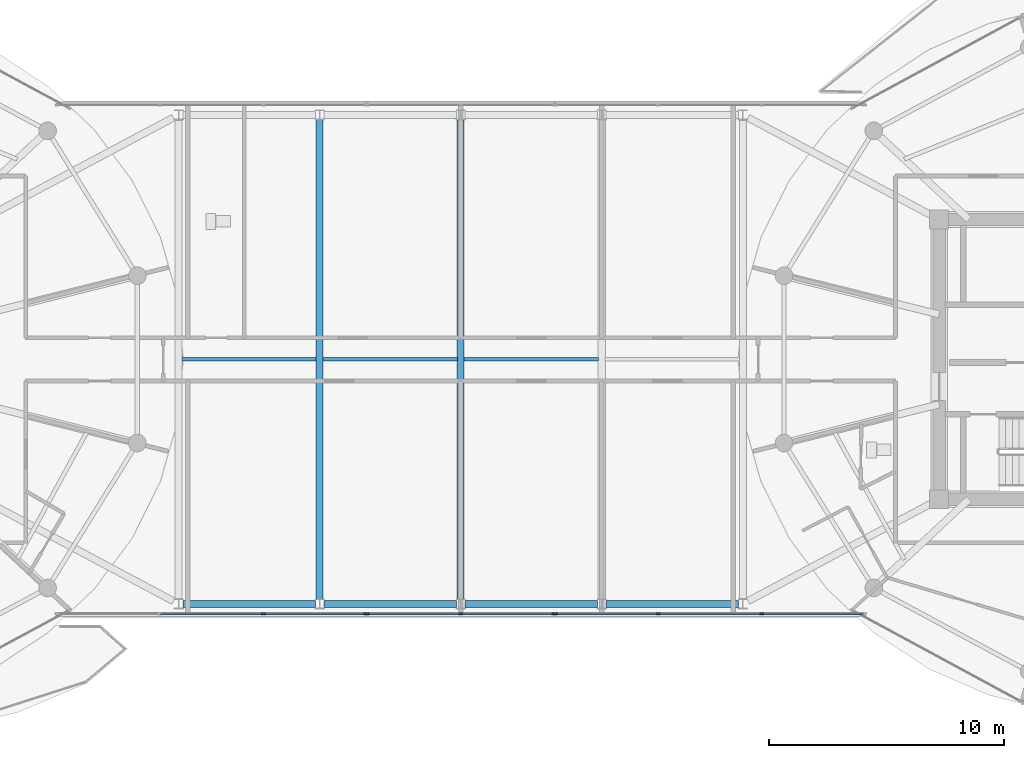
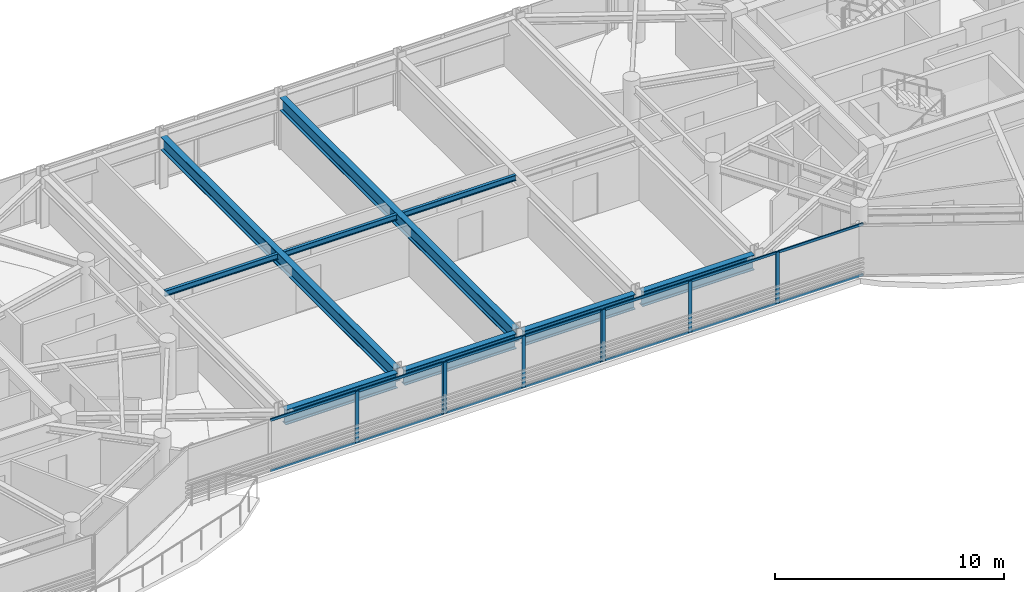
# One storey, part 6 of 24: 22 members, 9 beams, 3 elements without a shape of their own.
"""IFC4 building model written with IfcOpenShell, lengths in metres."""

import ifcopenshell
import ifcopenshell.guid

model = None  # the IFC model being written
_history = None  # IfcOwnerHistory: only IFC2X3 demands one
_inside = {}  # id of a spatial element -> (the spatial element, [elements in it])
_under = {}  # id of a project, library or spatial element -> (it, [spatial elements below it])
_declared = {}  # id of a project -> (the project, [libraries it declares])
_typed = {}  # id of a type object -> (the type object, [elements of that type])
_made_of = {}  # id of a material, layer set ... -> (it, [elements and type objects made of it])


def new_model(schema):
    """Start an empty IFC model of exactly this schema.

    Asked for "IFC4X3", IfcOpenShell would pick the latest addendum, in which some entities
    have other attributes; the version numbers below select the first issue.
    IFC2X3 requires an IfcOwnerHistory on every rooted entity: one is made here for all.
    """
    global model, _history
    if schema == "IFC4X3":
        model = ifcopenshell.file(schema_version=(4, 3, 0, 0))
    else:
        model = ifcopenshell.file(schema=schema)
    _inside.clear()
    _under.clear()
    _declared.clear()
    _typed.clear()
    _made_of.clear()
    _history = None
    if model.schema == "IFC2X3":
        org = make("IfcOrganization", Name="unknown")
        user = make(
            "IfcPersonAndOrganization",
            ThePerson=make("IfcPerson", FamilyName="unknown"),
            TheOrganization=org,
        )
        app = make(
            "IfcApplication",
            ApplicationDeveloper=org,
            Version="unknown",
            ApplicationFullName="unknown",
            ApplicationIdentifier="unknown",
        )
        _history = make(
            "IfcOwnerHistory",
            OwningUser=user,
            OwningApplication=app,
            ChangeAction="ADDED",
            CreationDate=0,
        )
    return model


def make(cls, **values):
    """One entity of the class cls with the attributes given. An attribute that is None is left unset."""
    return model.create_entity(
        cls, **{name: value for name, value in values.items() if value is not None}
    )


def rooted(cls, **values):
    """An entity with a GlobalId (a new one), such as an element, a storey or a relation."""
    return make(cls, GlobalId=ifcopenshell.guid.new(), OwnerHistory=_history, **values)


def si_unit(unit_type, name, prefix=None):
    """IfcSIUnit, for example si_unit("LENGTHUNIT", "METRE", prefix="MILLI")."""
    return make("IfcSIUnit", UnitType=unit_type, Prefix=prefix, Name=name)


def assignment(units):
    """IfcUnitAssignment: the units of a project."""
    return None if units is None else make("IfcUnitAssignment", Units=units)


def point(xyz):
    """IfcCartesianPoint."""
    return None if xyz is None else make("IfcCartesianPoint", Coordinates=xyz)


def direction(xyz):
    """IfcDirection."""
    return None if xyz is None else make("IfcDirection", DirectionRatios=xyz)


def frame(location, z_axis=None, x_axis=None):
    """IfcAxis2Placement3D, a coordinate frame: its origin and axes. An axis left out is left unset."""
    return make(
        "IfcAxis2Placement3D",
        Location=point(location),
        Axis=direction(z_axis),
        RefDirection=direction(x_axis),
    )


def frame_2d(location, x_axis=None):
    """IfcAxis2Placement2D, a coordinate frame in the plane: its origin and x axis."""
    return make(
        "IfcAxis2Placement2D", Location=point(location), RefDirection=direction(x_axis)
    )


def origin():
    """The frame at (0, 0, 0) with its axes left unset."""
    return frame((0.0, 0.0, 0.0))


def origin_2d():
    """The frame at (0, 0) in the plane with its x axis left unset."""
    return frame_2d((0.0, 0.0))


def place(relative_to, where):
    """IfcLocalPlacement: puts the frame where relative to a parent placement (None: the world)."""
    return make(
        "IfcLocalPlacement", PlacementRelTo=relative_to, RelativePlacement=where
    )


def context(
    kind, dimensions, precision=None, world=None, true_north=None, identifier=None
):
    """IfcGeometricRepresentationContext, for example the 3D "Model" context."""
    return make(
        "IfcGeometricRepresentationContext",
        ContextIdentifier=identifier,
        ContextType=kind,
        CoordinateSpaceDimension=dimensions,
        Precision=precision,
        WorldCoordinateSystem=world,
        TrueNorth=true_north,
    )


def subcontext(parent, identifier, kind, view, scale=None):
    """IfcGeometricRepresentationSubContext, for example "Body" below "Model"."""
    return make(
        "IfcGeometricRepresentationSubContext",
        ContextIdentifier=identifier,
        ContextType=kind,
        ParentContext=parent,
        TargetScale=scale,
        TargetView=view,
    )


def project(units=None, contexts=None):
    """IfcProject with its units and contexts."""
    return rooted(
        "IfcProject",
        Name="project",
        RepresentationContexts=contexts,
        UnitsInContext=assignment(units),
    )


def spatial(cls, under=None, at=None, **own):
    """A site, building, storey or space (cls), placed at a placement, below another one or the project."""
    s = rooted(cls, ObjectPlacement=at, **own)
    if under is not None:
        _under.setdefault(under.id(), (under, []))[1].append(s)
    return s


def profile(cls, at=None, kind="AREA", **sizes):
    """A parametric profile (cls). Its sizes go by their IFC names, for example OverallWidth=200.0."""
    return make(cls, ProfileType=kind, Position=at, **sizes)


def rectangle(**sizes):
    """IfcRectangleProfileDef."""
    return profile("IfcRectangleProfileDef", **sizes)


def i_section(**sizes):
    """IfcIShapeProfileDef."""
    return profile("IfcIShapeProfileDef", **sizes)


def extrude(swept, where, along, depth):
    """IfcExtrudedAreaSolid: the profile swept, set in the frame where, extruded along a direction by depth."""
    return make(
        "IfcExtrudedAreaSolid",
        SweptArea=swept,
        Position=where,
        ExtrudedDirection=direction(along),
        Depth=depth,
    )


def shape(context_of_items, identifier, shape_type, items):
    """IfcShapeRepresentation: the items that make up one representation, for example the "Body"."""
    return make(
        "IfcShapeRepresentation",
        ContextOfItems=context_of_items,
        RepresentationIdentifier=identifier,
        RepresentationType=shape_type,
        Items=items,
    )


def source(mapping_origin, context_of_items, identifier, shape_type, items):
    """IfcRepresentationMap: a shape defined once, which mapped items show again and again."""
    return make(
        "IfcRepresentationMap",
        MappingOrigin=mapping_origin,
        MappedRepresentation=shape(context_of_items, identifier, shape_type, items),
    )


def transform(
    local_origin,
    x_axis=None,
    y_axis=None,
    z_axis=None,
    scale=None,
    scale2=None,
    scale3=None,
    uniform=True,
):
    """IfcCartesianTransformationOperator3D, or its non-uniform kind. x_axis, y_axis, z_axis: its Axis1, 2, 3."""
    if uniform:
        return make(
            "IfcCartesianTransformationOperator3D",
            Axis1=direction(x_axis),
            Axis2=direction(y_axis),
            LocalOrigin=point(local_origin),
            Scale=scale,
            Axis3=direction(z_axis),
        )
    return make(
        "IfcCartesianTransformationOperator3DnonUniform",
        Axis1=direction(x_axis),
        Axis2=direction(y_axis),
        LocalOrigin=point(local_origin),
        Scale=scale,
        Axis3=direction(z_axis),
        Scale2=scale2,
        Scale3=scale3,
    )


def mapped(mapping_source, mapping_target):
    """IfcMappedItem: shows the shape of a source again, moved by a transform."""
    return make(
        "IfcMappedItem", MappingSource=mapping_source, MappingTarget=mapping_target
    )


def material(Name=None, Category=None):
    """IfcMaterial."""
    return make("IfcMaterial", Name=Name, Category=Category)


def layer(
    of_material, thickness, ventilated=None, Name=None, Category=None, Priority=None
):
    """IfcMaterialLayer: one layer of a wall or slab, of a material (None: an air gap)."""
    return make(
        "IfcMaterialLayer",
        Material=of_material,
        LayerThickness=thickness,
        IsVentilated=ventilated,
        Name=Name,
        Category=Category,
        Priority=Priority,
    )


def layer_set(layers, Name=None):
    """IfcMaterialLayerSet."""
    return make("IfcMaterialLayerSet", MaterialLayers=layers, LayerSetName=Name)


def material_profile(
    of_material, cross_section, Name=None, Category=None, Priority=None
):
    """IfcMaterialProfile: a cross section and its material."""
    return make(
        "IfcMaterialProfile",
        Name=Name,
        Material=of_material,
        Profile=cross_section,
        Priority=Priority,
        Category=Category,
    )


def profile_set(profiles, Name=None, composite=None):
    """IfcMaterialProfileSet."""
    return make(
        "IfcMaterialProfileSet",
        Name=Name,
        MaterialProfiles=profiles,
        CompositeProfile=composite,
    )


def made_of(thing, what):
    """Note that an element or type object is made of a material, layer set ...; save() writes the relation."""
    if what is not None:
        _made_of.setdefault(what.id(), (what, []))[1].append(thing)
    return thing


def type_object(cls, material=None, **own):
    """A type object (cls), such as IfcWallType, which elements share."""
    return made_of(rooted(cls, **own), material)


def type_shapes(of_type, sources):
    """Give a type object the sources (RepresentationMaps) that its elements show as mapped items."""
    of_type.RepresentationMaps = sources


def element(
    cls,
    number,
    at=None,
    inside=None,
    cuts=None,
    type_object=None,
    material=None,
    context=None,
    identifier="Body",
    shape_type=None,
    held_by="IfcProductDefinitionShape",
    body=None,
    shapes=None,
    **own,
):
    """One element of the class cls, such as IfcWall. Its Tag is "e" and its number.

    at: its placement. inside: the storey or other place that contains it. cuts: it is an
    opening in that element (IfcRelVoidsElement). A single representation is given by context,
    identifier, shape_type and body (its items); several are given by shapes. held_by: the class
    of the entity that holds the representations. save() writes the other relations.
    """
    e = rooted(cls, Tag="e%d" % number, ObjectPlacement=at, **own)
    if body is not None:
        shapes = [shape(context, identifier, shape_type, body)]
    if shapes is not None:
        e.Representation = make(held_by, Representations=shapes)
    if inside is not None:
        _inside.setdefault(inside.id(), (inside, []))[1].append(e)
    if cuts is not None:
        rooted(
            "IfcRelVoidsElement", RelatingBuildingElement=cuts, RelatedOpeningElement=e
        )
    if type_object is not None:
        _typed.setdefault(type_object.id(), (type_object, []))[1].append(e)
    return made_of(e, material)


def aggregate(whole, parts):
    """IfcRelAggregates: a whole, such as a stair, and the parts it consists of."""
    return rooted("IfcRelAggregates", RelatingObject=whole, RelatedObjects=parts)


def save(model, path):
    """Write the relations noted so far, then the file.

    IfcRelAggregates (storeys below a building ...), IfcRelContainedInSpatialStructure (elements
    in a storey), IfcRelDefinesByType, IfcRelAssociatesMaterial and IfcRelDeclares: one each for
    every whole, place, type object, material and project.
    """
    for whole, parts in _under.values():
        aggregate(whole, parts)
    for where, things in _inside.values():
        rooted(
            "IfcRelContainedInSpatialStructure",
            RelatedElements=things,
            RelatingStructure=where,
        )
    for kind, things in _typed.values():
        rooted("IfcRelDefinesByType", RelatedObjects=things, RelatingType=kind)
    for what, things in _made_of.values():
        rooted("IfcRelAssociatesMaterial", RelatedObjects=things, RelatingMaterial=what)
    for by, libraries in _declared.values():
        rooted("IfcRelDeclares", RelatingContext=by, RelatedDefinitions=libraries)
    model.write(path)


model = new_model("IFC4")

# Units and contexts
model_context = context("Model", 3, precision=1e-05, world=origin(), true_north=direction((0.0, 1.0)))
body_context = subcontext(model_context, "Body", "Model", "MODEL_VIEW")
ifc_project = project(units=[si_unit("LENGTHUNIT", "METRE"), si_unit("AREAUNIT", "SQUARE_METRE"), si_unit("VOLUMEUNIT", "CUBIC_METRE"), si_unit("PLANEANGLEUNIT", "RADIAN"), si_unit("MASSUNIT", "GRAM", prefix="KILO")], contexts=[model_context])

# Site, building, storey
site_placement = place(None, origin())
site = spatial("IfcSite", under=ifc_project, at=site_placement, CompositionType="ELEMENT")
building_placement = place(site_placement, origin())
building = spatial("IfcBuilding", under=site, at=building_placement, Name="Norrkilde Senior Care Towers", CompositionType="ELEMENT")
storey_placement = place(building_placement, frame((0.0, 0.0, 226.10009765625)))
storey = spatial("IfcBuildingStorey", under=building, at=storey_placement, Name="L70", CompositionType="ELEMENT", Elevation=226.10009765625)

# Beams
ifc_material_1 = material(Name="Steel S355", Category="steel")
ifc_material_profile_1 = material_profile(ifc_material_1, i_section(OverallWidth=0.300048828125, OverallDepth=0.699951171875, WebThickness=0.01708984375, FlangeThickness=0.031982421875, FilletRadius=0.027099609375, at=origin_2d()), Name="HEB 700")
ifc_profile_set_1 = profile_set([ifc_material_profile_1], Name="Steel S355")
beam_type_1 = type_object("IfcBeamType", Name="Bridge Cross Girder HEB700", PredefinedType="USERDEFINED", material=ifc_profile_set_1)
shared_shape_1 = source(origin(), body_context, "Body", "SweptSolid", [
    extrude(i_section(OverallWidth=0.300048828125, OverallDepth=0.699951171875, WebThickness=0.01708984375, FlangeThickness=0.031982421875, FilletRadius=0.027099609375, at=origin_2d()), origin(), (0.0, 0.0, 1.0), 20.43994140625),
])
type_shapes(beam_type_1, [shared_shape_1])
for number, where, z_axis, x_axis, name in (
    (1, (-6.0, -10.219970703125, 2.409912109375), (0.0, 1.0, 0.0), (-1.0, 0.0, 0.0), "L70 Sky-Gate Bridge Cross Girder -6"),
    (2, (0.0, -10.219970703125, 2.409912109375), (0.0, 1.0, 0.0), (-1.0, 0.0, 0.0), "L70 Sky-Gate Bridge Cross Girder +0"),
):
    element("IfcBeam", number, at=place(storey_placement, frame(where, z_axis=z_axis, x_axis=x_axis)), inside=storey, type_object=beam_type_1, Name=name, ObjectType="GIRDER", PredefinedType="USERDEFINED", context=body_context, shape_type="MappedRepresentation", body=[
        mapped(shared_shape_1, transform((0.0, 0.0, 0.0), x_axis=(1.0, 0.0, 0.0), y_axis=(0.0, 1.0, 0.0), z_axis=(0.0, 0.0, 1.0), scale=1.0)),
    ])
ifc_material_profile_2 = material_profile(ifc_material_1, i_section(OverallWidth=0.300048828125, OverallDepth=0.800048828125, WebThickness=0.017578125, FlangeThickness=0.032958984375, FilletRadius=0.030029296875, at=origin_2d()), Name="HEB 800")
ifc_profile_set_2 = profile_set([ifc_material_profile_2], Name="Steel S355")
beam_type_2 = type_object("IfcBeamType", Name="Bridge Floor Girder HEB800", PredefinedType="USERDEFINED", material=ifc_profile_set_2)
shared_shape_2 = source(origin(), body_context, "Body", "SweptSolid", [
    extrude(i_section(OverallWidth=0.300048828125, OverallDepth=0.800048828125, WebThickness=0.017578125, FlangeThickness=0.032958984375, FilletRadius=0.030029296875, at=origin_2d()), origin(), (0.0, 0.0, 1.0), 5.64013671875),
])
type_shapes(beam_type_2, [shared_shape_2])
for number, where, z_axis, x_axis, name in (
    (3, (-11.820068359375, -10.39990234375, 2.35986328125), (1.0, 0.0, 0.0), (0.0, 1.0, 0.0), "L70 Sky-Gate Bridge Girder S2"),
    (4, (-5.820068359375, -10.39990234375, 2.35986328125), (1.0, 0.0, 0.0), (0.0, 1.0, 0.0), "L70 Sky-Gate Bridge Girder S3"),
    (5, (0.179931640625, -10.39990234375, 2.35986328125), (1.0, 0.0, 0.0), (0.0, 1.0, 0.0), "L70 Sky-Gate Bridge Girder S4"),
    (6, (6.179931640625, -10.39990234375, 2.35986328125), (1.0, 0.0, 0.0), (0.0, 1.0, 0.0), "L70 Sky-Gate Bridge Girder S5"),
):
    element("IfcBeam", number, at=place(storey_placement, frame(where, z_axis=z_axis, x_axis=x_axis)), inside=storey, type_object=beam_type_2, Name=name, ObjectType="GIRDER", PredefinedType="USERDEFINED", context=body_context, shape_type="MappedRepresentation", body=[
        mapped(shared_shape_2, transform((0.0, 0.0, 0.0), x_axis=(1.0, 0.0, 0.0), y_axis=(0.0, 1.0, 0.0), z_axis=(0.0, 0.0, 1.0), scale=1.0)),
    ])
ifc_material_profile_3 = material_profile(ifc_material_1, i_section(OverallWidth=0.14990234375, OverallDepth=0.300048828125, WebThickness=0.007080078125, FlangeThickness=0.0107421875, FilletRadius=0.014892578125, at=origin_2d()), Name="IPE 300")
ifc_profile_set_3 = profile_set([ifc_material_profile_3], Name="Steel S355")
beam_type_3 = type_object("IfcBeamType", Name="Bridge Deck Joist IPE300", PredefinedType="JOIST", material=ifc_profile_set_3)
shared_shape_3 = source(origin(), body_context, "Body", "SweptSolid", [
    extrude(i_section(OverallWidth=0.14990234375, OverallDepth=0.300048828125, WebThickness=0.007080078125, FlangeThickness=0.0107421875, FilletRadius=0.014892578125, at=origin_2d()), origin(), (0.0, 0.0, 1.0), 5.7099609375),
])
type_shapes(beam_type_3, [shared_shape_3])
for number, where, z_axis, x_axis, name in (
    (7, (-11.85498046875, 0.0, 2.60986328125), (1.0, 0.0, 0.0), (0.0, 1.0, 0.0), "L70 Bridge Deck Joist 1"),
    (8, (-5.85498046875, 0.0, 2.60986328125), (1.0, 0.0, 0.0), (0.0, 1.0, 0.0), "L70 Bridge Deck Joist 2"),
    (9, (0.14501953125, 0.0, 2.60986328125), (1.0, 0.0, 0.0), (0.0, 1.0, 0.0), "L70 Bridge Deck Joist 3"),
):
    element("IfcBeam", number, at=place(storey_placement, frame(where, z_axis=z_axis, x_axis=x_axis)), inside=storey, type_object=beam_type_3, Name=name, PredefinedType="JOIST", context=body_context, shape_type="MappedRepresentation", body=[
        mapped(shared_shape_3, transform((0.0, 0.0, 0.0), x_axis=(1.0, 0.0, 0.0), y_axis=(0.0, 1.0, 0.0), z_axis=(0.0, 0.0, 1.0), scale=1.0)),
    ])

# Curtain wall, members
ifc_material_2 = material(Name="Triple Low-E Insulated Glazing", Category="glass")
ifc_layer = layer(ifc_material_2, 0.2099609375)
ifc_layer_set = layer_set([ifc_layer], Name="Triple Low-E Insulated Glazing")
curtain_wall_type = type_object("IfcCurtainWallType", Name="CW5 Sky-Gate Bridge Curtain Wall", PredefinedType="NOTDEFINED", material=ifc_layer_set)
curtain_wall_1_placement = place(storey_placement, origin())
curtain_wall_1 = element("IfcCurtainWall", 10, at=curtain_wall_1_placement, inside=storey, type_object=curtain_wall_type, Name="L70 Sky-Gate Bridge South Curtain Wall 1", PredefinedType="NOTDEFINED")
ifc_material_3 = material(Name="Anodised Aluminium", Category="aluminium")
ifc_material_profile_4 = material_profile(ifc_material_3, rectangle(XDim=0.06494140625, YDim=0.1298828125, at=origin_2d()), Name="ALU TRAN 65x130")
ifc_profile_set_4 = profile_set([ifc_material_profile_4], Name="Anodised Aluminium")
member_type_1 = type_object("IfcMemberType", Name="Curtain Wall Transom Heavy 65x130", PredefinedType="USERDEFINED", material=ifc_profile_set_4)
shared_shape_4 = source(origin(), body_context, "Body", "SweptSolid", [
    extrude(rectangle(XDim=0.06494140625, YDim=0.1298828125, at=origin_2d()), origin(), (0.0, 0.0, 1.0), 4.294921875),
])
member_1_placement = place(storey_placement, frame((17.1298828125, -10.820068359375, 0.032470703125), z_axis=(-1.0, 0.0, 0.0), x_axis=(0.0, -1.0, 0.0)))
member_1 = element("IfcMember", 11, at=member_1_placement, type_object=member_type_1, Name="CW-5 transom 1.1", ObjectType="TRANSOM", PredefinedType="USERDEFINED", context=body_context, shape_type="MappedRepresentation", body=[
    mapped(shared_shape_4, transform((0.0, 0.0, 0.0), x_axis=(1.0, 0.0, 0.0), y_axis=(0.0, 1.0, 0.0), z_axis=(0.0, 0.0, 1.0), scale=1.0)),
])
member_2_placement = place(storey_placement, frame((17.1298828125, -10.820068359375, 2.727294921875), z_axis=(-1.0, 0.0, 0.0), x_axis=(0.0, -1.0, 0.0)))
member_2 = element("IfcMember", 12, at=member_2_placement, type_object=member_type_1, Name="CW-5 transom 1.2", ObjectType="TRANSOM", PredefinedType="USERDEFINED", context=body_context, shape_type="MappedRepresentation", body=[
    mapped(shared_shape_4, transform((0.0, 0.0, 0.0), x_axis=(1.0, 0.0, 0.0), y_axis=(0.0, 1.0, 0.0), z_axis=(0.0, 0.0, 1.0), scale=1.0)),
])
member_3_placement = place(storey_placement, frame((8.364990234375, -10.820068359375, 0.032470703125), z_axis=(-1.0, 0.0, 0.0), x_axis=(0.0, -1.0, 0.0)))
member_3 = element("IfcMember", 13, at=member_3_placement, type_object=member_type_1, Name="CW-5 transom 3.1", ObjectType="TRANSOM", PredefinedType="USERDEFINED", context=body_context, shape_type="MappedRepresentation", body=[
    mapped(shared_shape_4, transform((0.0, 0.0, 0.0), x_axis=(1.0, 0.0, 0.0), y_axis=(0.0, 1.0, 0.0), z_axis=(0.0, 0.0, 1.0), scale=1.0)),
])
member_4_placement = place(storey_placement, frame((8.364990234375, -10.820068359375, 2.727294921875), z_axis=(-1.0, 0.0, 0.0), x_axis=(0.0, -1.0, 0.0)))
member_4 = element("IfcMember", 14, at=member_4_placement, type_object=member_type_1, Name="CW-5 transom 3.2", ObjectType="TRANSOM", PredefinedType="USERDEFINED", context=body_context, shape_type="MappedRepresentation", body=[
    mapped(shared_shape_4, transform((0.0, 0.0, 0.0), x_axis=(1.0, 0.0, 0.0), y_axis=(0.0, 1.0, 0.0), z_axis=(0.0, 0.0, 1.0), scale=1.0)),
])

curtain_wall_2_placement = place(storey_placement, origin())
curtain_wall_2 = element("IfcCurtainWall", 15, at=curtain_wall_2_placement, inside=storey, type_object=curtain_wall_type, Name="L70 Sky-Gate Bridge South Curtain Wall 3", PredefinedType="NOTDEFINED")
member_5_placement = place(storey_placement, frame((-4.070068359375, -10.820068359375, 0.032470703125), z_axis=(-1.0, 0.0, 0.0), x_axis=(0.0, -1.0, 0.0)))
member_5 = element("IfcMember", 16, at=member_5_placement, type_object=member_type_1, Name="CW-5 transom 1.1", ObjectType="TRANSOM", PredefinedType="USERDEFINED", context=body_context, shape_type="MappedRepresentation", body=[
    mapped(shared_shape_4, transform((0.0, 0.0, 0.0), x_axis=(1.0, 0.0, 0.0), y_axis=(0.0, 1.0, 0.0), z_axis=(0.0, 0.0, 1.0), scale=1.0)),
])
member_6_placement = place(storey_placement, frame((-4.070068359375, -10.820068359375, 2.727294921875), z_axis=(-1.0, 0.0, 0.0), x_axis=(0.0, -1.0, 0.0)))
member_6 = element("IfcMember", 17, at=member_6_placement, type_object=member_type_1, Name="CW-5 transom 1.2", ObjectType="TRANSOM", PredefinedType="USERDEFINED", context=body_context, shape_type="MappedRepresentation", body=[
    mapped(shared_shape_4, transform((0.0, 0.0, 0.0), x_axis=(1.0, 0.0, 0.0), y_axis=(0.0, 1.0, 0.0), z_axis=(0.0, 0.0, 1.0), scale=1.0)),
])

# Member
shared_shape_5 = source(origin(), body_context, "Body", "SweptSolid", [
    extrude(rectangle(XDim=0.06494140625, YDim=0.1298828125, at=origin_2d()), origin(), (0.0, 0.0, 1.0), 4.329833984375),
])
member_7_placement = place(storey_placement, frame((12.764892578125, -10.820068359375, 0.032470703125), z_axis=(-1.0, 0.0, 0.0), x_axis=(0.0, -1.0, 0.0)))
member_7 = element("IfcMember", 18, at=member_7_placement, type_object=member_type_1, Name="CW-5 transom 2.1", ObjectType="TRANSOM", PredefinedType="USERDEFINED", context=body_context, shape_type="MappedRepresentation", body=[
    mapped(shared_shape_5, transform((0.0, 0.0, 0.0), x_axis=(1.0, 0.0, 0.0), y_axis=(0.0, 1.0, 0.0), z_axis=(0.0, 0.0, 1.0), scale=1.0)),
])

member_8_placement = place(storey_placement, frame((12.764892578125, -10.820068359375, 2.727294921875), z_axis=(-1.0, 0.0, 0.0), x_axis=(0.0, -1.0, 0.0)))
member_8 = element("IfcMember", 19, at=member_8_placement, type_object=member_type_1, Name="CW-5 transom 2.2", ObjectType="TRANSOM", PredefinedType="USERDEFINED", context=body_context, shape_type="MappedRepresentation", body=[
    mapped(shared_shape_5, transform((0.0, 0.0, 0.0), x_axis=(1.0, 0.0, 0.0), y_axis=(0.0, 1.0, 0.0), z_axis=(0.0, 0.0, 1.0), scale=1.0)),
])

member_9_placement = place(storey_placement, frame((-8.43505859375, -10.820068359375, 0.032470703125), z_axis=(-1.0, 0.0, 0.0), x_axis=(0.0, -1.0, 0.0)))
member_9 = element("IfcMember", 20, at=member_9_placement, type_object=member_type_1, Name="CW-5 transom 2.1", ObjectType="TRANSOM", PredefinedType="USERDEFINED", context=body_context, shape_type="MappedRepresentation", body=[
    mapped(shared_shape_5, transform((0.0, 0.0, 0.0), x_axis=(1.0, 0.0, 0.0), y_axis=(0.0, 1.0, 0.0), z_axis=(0.0, 0.0, 1.0), scale=1.0)),
])

member_10_placement = place(storey_placement, frame((-8.43505859375, -10.820068359375, 2.727294921875), z_axis=(-1.0, 0.0, 0.0), x_axis=(0.0, -1.0, 0.0)))
member_10 = element("IfcMember", 21, at=member_10_placement, type_object=member_type_1, Name="CW-5 transom 2.2", ObjectType="TRANSOM", PredefinedType="USERDEFINED", context=body_context, shape_type="MappedRepresentation", body=[
    mapped(shared_shape_5, transform((0.0, 0.0, 0.0), x_axis=(1.0, 0.0, 0.0), y_axis=(0.0, 1.0, 0.0), z_axis=(0.0, 0.0, 1.0), scale=1.0)),
])

# Curtain wall, members
curtain_wall_3_placement = place(storey_placement, origin())
curtain_wall_3 = element("IfcCurtainWall", 22, at=curtain_wall_3_placement, inside=storey, type_object=curtain_wall_type, Name="L70 Sky-Gate Bridge South Curtain Wall 2", PredefinedType="NOTDEFINED")
shared_shape_6 = source(origin(), body_context, "Body", "SweptSolid", [
    extrude(rectangle(XDim=0.06494140625, YDim=0.1298828125, at=origin_2d()), origin(), (0.0, 0.0, 1.0), 3.89501953125),
])
type_shapes(member_type_1, [shared_shape_4, shared_shape_5, shared_shape_6])
member_11_placement = place(storey_placement, frame((3.929931640625, -10.820068359375, 0.032470703125), z_axis=(-1.0, 0.0, 0.0), x_axis=(0.0, -1.0, 0.0)))
member_11 = element("IfcMember", 23, at=member_11_placement, type_object=member_type_1, Name="CW-5 transom 1.1", ObjectType="TRANSOM", PredefinedType="USERDEFINED", context=body_context, shape_type="MappedRepresentation", body=[
    mapped(shared_shape_6, transform((0.0, 0.0, 0.0), x_axis=(1.0, 0.0, 0.0), y_axis=(0.0, 1.0, 0.0), z_axis=(0.0, 0.0, 1.0), scale=1.0)),
])
member_12_placement = place(storey_placement, frame((3.929931640625, -10.820068359375, 2.727294921875), z_axis=(-1.0, 0.0, 0.0), x_axis=(0.0, -1.0, 0.0)))
member_12 = element("IfcMember", 24, at=member_12_placement, type_object=member_type_1, Name="CW-5 transom 1.2", ObjectType="TRANSOM", PredefinedType="USERDEFINED", context=body_context, shape_type="MappedRepresentation", body=[
    mapped(shared_shape_6, transform((0.0, 0.0, 0.0), x_axis=(1.0, 0.0, 0.0), y_axis=(0.0, 1.0, 0.0), z_axis=(0.0, 0.0, 1.0), scale=1.0)),
])
member_13_placement = place(storey_placement, frame((-0.034912109375, -10.820068359375, 0.032470703125), z_axis=(-1.0, 0.0, 0.0), x_axis=(0.0, -1.0, 0.0)))
member_13 = element("IfcMember", 25, at=member_13_placement, type_object=member_type_1, Name="CW-5 transom 2.1", ObjectType="TRANSOM", PredefinedType="USERDEFINED", context=body_context, shape_type="MappedRepresentation", body=[
    mapped(shared_shape_6, transform((0.0, 0.0, 0.0), x_axis=(1.0, 0.0, 0.0), y_axis=(0.0, 1.0, 0.0), z_axis=(0.0, 0.0, 1.0), scale=1.0)),
])
member_14_placement = place(storey_placement, frame((-0.034912109375, -10.820068359375, 2.727294921875), z_axis=(-1.0, 0.0, 0.0), x_axis=(0.0, -1.0, 0.0)))
member_14 = element("IfcMember", 26, at=member_14_placement, type_object=member_type_1, Name="CW-5 transom 2.2", ObjectType="TRANSOM", PredefinedType="USERDEFINED", context=body_context, shape_type="MappedRepresentation", body=[
    mapped(shared_shape_6, transform((0.0, 0.0, 0.0), x_axis=(1.0, 0.0, 0.0), y_axis=(0.0, 1.0, 0.0), z_axis=(0.0, 0.0, 1.0), scale=1.0)),
])

# Member
ifc_material_profile_5 = material_profile(ifc_material_3, rectangle(XDim=0.070068359375, YDim=0.169921875, at=origin_2d()), Name="ALU MULL 70x170")
ifc_profile_set_5 = profile_set([ifc_material_profile_5], Name="Anodised Aluminium")
member_type_2 = type_object("IfcMemberType", Name="Curtain Wall Mullion Heavy 70x170", PredefinedType="MULLION", material=ifc_profile_set_5)
shared_shape_7 = source(origin(), body_context, "Body", "SweptSolid", [
    extrude(rectangle(XDim=0.070068359375, YDim=0.169921875, at=origin_2d()), origin(), (0.0, 0.0, 1.0), 2.760009765625),
])
type_shapes(member_type_2, [shared_shape_7])
member_15_placement = place(storey_placement, frame((12.800048828125, -10.820068359375, 0.0), z_axis=(0.0, 0.0, 1.0), x_axis=(0.0, -1.0, 0.0)))
member_15 = element("IfcMember", 27, at=member_15_placement, type_object=member_type_2, Name="CW-5 mullion 2", PredefinedType="MULLION", context=body_context, shape_type="MappedRepresentation", body=[
    mapped(shared_shape_7, transform((0.0, 0.0, 0.0), x_axis=(1.0, 0.0, 0.0), y_axis=(0.0, 1.0, 0.0), z_axis=(0.0, 0.0, 1.0), scale=1.0)),
])

member_16_placement = place(storey_placement, frame((8.39990234375, -10.820068359375, 0.0), z_axis=(0.0, 0.0, 1.0), x_axis=(0.0, -1.0, 0.0)))
member_16 = element("IfcMember", 28, at=member_16_placement, type_object=member_type_2, Name="CW-5 mullion 3", PredefinedType="MULLION", context=body_context, shape_type="MappedRepresentation", body=[
    mapped(shared_shape_7, transform((0.0, 0.0, 0.0), x_axis=(1.0, 0.0, 0.0), y_axis=(0.0, 1.0, 0.0), z_axis=(0.0, 0.0, 1.0), scale=1.0)),
])

member_17_placement = place(storey_placement, frame((4.034912109375, -10.820068359375, 0.0), z_axis=(0.0, 0.0, 1.0), x_axis=(0.0, -1.0, 0.0)))
member_17 = element("IfcMember", 29, at=member_17_placement, type_object=member_type_2, Name="CW-5 mullion 4", PredefinedType="MULLION", context=body_context, shape_type="MappedRepresentation", body=[
    mapped(shared_shape_7, transform((0.0, 0.0, 0.0), x_axis=(1.0, 0.0, 0.0), y_axis=(0.0, 1.0, 0.0), z_axis=(0.0, 0.0, 1.0), scale=1.0)),
])

aggregate(curtain_wall_1, [member_15, member_16, member_17, member_1, member_2, member_7, member_8, member_3, member_4])

member_18_placement = place(storey_placement, frame((3.965087890625, -10.820068359375, 0.0), z_axis=(0.0, 0.0, 1.0), x_axis=(0.0, -1.0, 0.0)))
member_18 = element("IfcMember", 30, at=member_18_placement, type_object=member_type_2, Name="CW-5 mullion 1", PredefinedType="MULLION", context=body_context, shape_type="MappedRepresentation", body=[
    mapped(shared_shape_7, transform((0.0, 0.0, 0.0), x_axis=(1.0, 0.0, 0.0), y_axis=(0.0, 1.0, 0.0), z_axis=(0.0, 0.0, 1.0), scale=1.0)),
])

member_19_placement = place(storey_placement, frame((0.0, -10.820068359375, 0.0), z_axis=(0.0, 0.0, 1.0), x_axis=(0.0, -1.0, 0.0)))
member_19 = element("IfcMember", 31, at=member_19_placement, type_object=member_type_2, Name="CW-5 mullion 2", PredefinedType="MULLION", context=body_context, shape_type="MappedRepresentation", body=[
    mapped(shared_shape_7, transform((0.0, 0.0, 0.0), x_axis=(1.0, 0.0, 0.0), y_axis=(0.0, 1.0, 0.0), z_axis=(0.0, 0.0, 1.0), scale=1.0)),
])

member_20_placement = place(storey_placement, frame((-3.965087890625, -10.820068359375, 0.0), z_axis=(0.0, 0.0, 1.0), x_axis=(0.0, -1.0, 0.0)))
member_20 = element("IfcMember", 32, at=member_20_placement, type_object=member_type_2, Name="CW-5 mullion 3", PredefinedType="MULLION", context=body_context, shape_type="MappedRepresentation", body=[
    mapped(shared_shape_7, transform((0.0, 0.0, 0.0), x_axis=(1.0, 0.0, 0.0), y_axis=(0.0, 1.0, 0.0), z_axis=(0.0, 0.0, 1.0), scale=1.0)),
])

aggregate(curtain_wall_3, [member_18, member_19, member_20, member_11, member_12, member_13, member_14])

member_21_placement = place(storey_placement, frame((-4.034912109375, -10.820068359375, 0.0), z_axis=(0.0, 0.0, 1.0), x_axis=(0.0, -1.0, 0.0)))
member_21 = element("IfcMember", 33, at=member_21_placement, type_object=member_type_2, Name="CW-5 mullion 1", PredefinedType="MULLION", context=body_context, shape_type="MappedRepresentation", body=[
    mapped(shared_shape_7, transform((0.0, 0.0, 0.0), x_axis=(1.0, 0.0, 0.0), y_axis=(0.0, 1.0, 0.0), z_axis=(0.0, 0.0, 1.0), scale=1.0)),
])

member_22_placement = place(storey_placement, frame((-8.39990234375, -10.820068359375, 0.0), z_axis=(0.0, 0.0, 1.0), x_axis=(0.0, -1.0, 0.0)))
member_22 = element("IfcMember", 34, at=member_22_placement, type_object=member_type_2, Name="CW-5 mullion 2", PredefinedType="MULLION", context=body_context, shape_type="MappedRepresentation", body=[
    mapped(shared_shape_7, transform((0.0, 0.0, 0.0), x_axis=(1.0, 0.0, 0.0), y_axis=(0.0, 1.0, 0.0), z_axis=(0.0, 0.0, 1.0), scale=1.0)),
])

aggregate(curtain_wall_2, [member_21, member_22, member_5, member_6, member_9, member_10])

save(model, "model.ifc")
